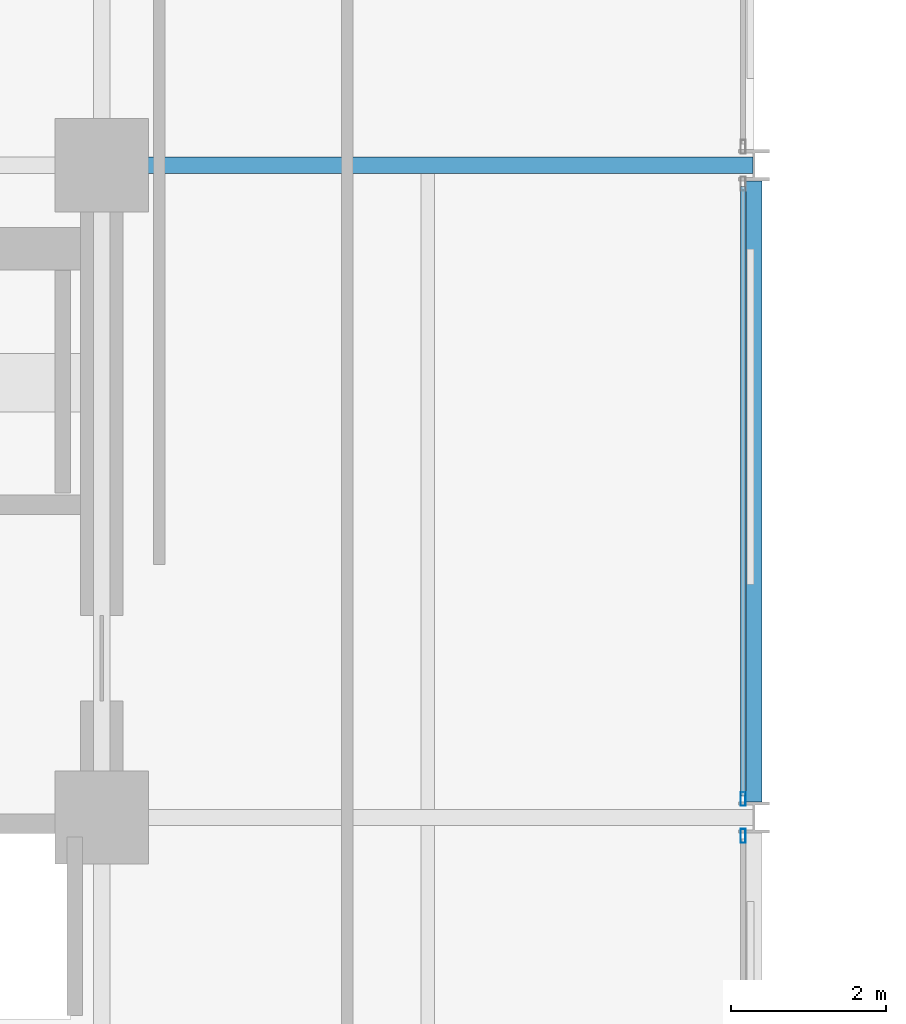
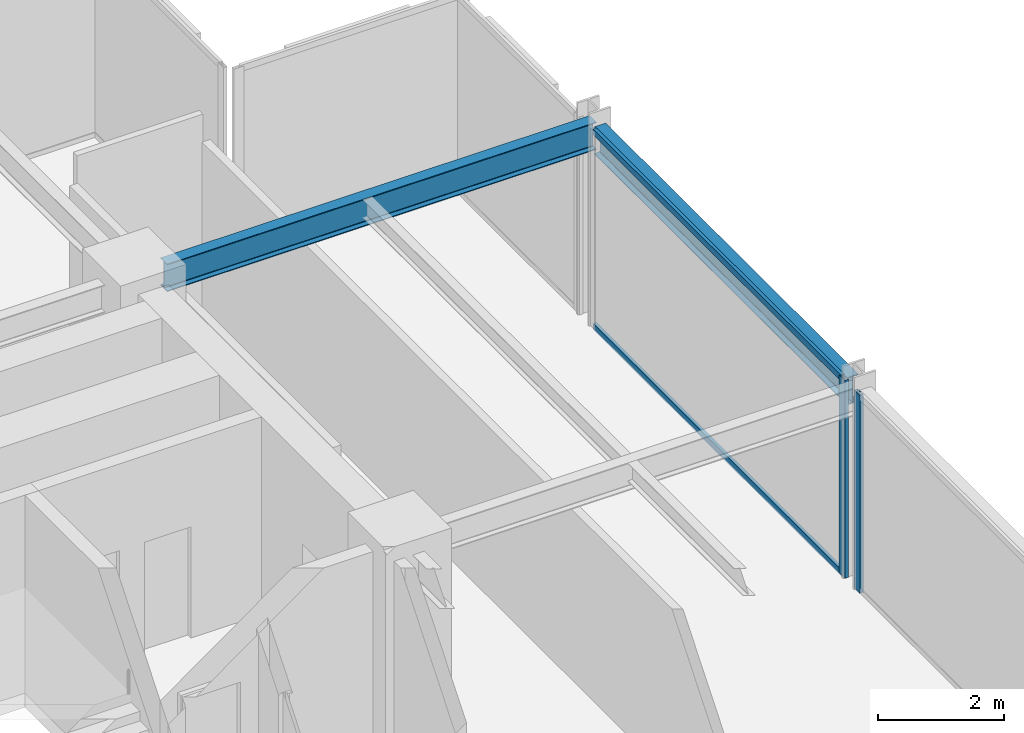
# One storey, part 27 of 38: 4 members, 2 beams, 2 elements without a shape of their own.
"""IFC4 building model written with IfcOpenShell, lengths in metres."""

import ifcopenshell
import ifcopenshell.guid

model = None  # the IFC model being written
_history = None  # IfcOwnerHistory: only IFC2X3 demands one
_inside = {}  # id of a spatial element -> (the spatial element, [elements in it])
_under = {}  # id of a project, library or spatial element -> (it, [spatial elements below it])
_declared = {}  # id of a project -> (the project, [libraries it declares])
_typed = {}  # id of a type object -> (the type object, [elements of that type])
_made_of = {}  # id of a material, layer set ... -> (it, [elements and type objects made of it])


def new_model(schema):
    """Start an empty IFC model of exactly this schema.

    Asked for "IFC4X3", IfcOpenShell would pick the latest addendum, in which some entities
    have other attributes; the version numbers below select the first issue.
    IFC2X3 requires an IfcOwnerHistory on every rooted entity: one is made here for all.
    """
    global model, _history
    if schema == "IFC4X3":
        model = ifcopenshell.file(schema_version=(4, 3, 0, 0))
    else:
        model = ifcopenshell.file(schema=schema)
    _inside.clear()
    _under.clear()
    _declared.clear()
    _typed.clear()
    _made_of.clear()
    _history = None
    if model.schema == "IFC2X3":
        org = make("IfcOrganization", Name="unknown")
        user = make(
            "IfcPersonAndOrganization",
            ThePerson=make("IfcPerson", FamilyName="unknown"),
            TheOrganization=org,
        )
        app = make(
            "IfcApplication",
            ApplicationDeveloper=org,
            Version="unknown",
            ApplicationFullName="unknown",
            ApplicationIdentifier="unknown",
        )
        _history = make(
            "IfcOwnerHistory",
            OwningUser=user,
            OwningApplication=app,
            ChangeAction="ADDED",
            CreationDate=0,
        )
    return model


def make(cls, **values):
    """One entity of the class cls with the attributes given. An attribute that is None is left unset."""
    return model.create_entity(
        cls, **{name: value for name, value in values.items() if value is not None}
    )


def rooted(cls, **values):
    """An entity with a GlobalId (a new one), such as an element, a storey or a relation."""
    return make(cls, GlobalId=ifcopenshell.guid.new(), OwnerHistory=_history, **values)


def si_unit(unit_type, name, prefix=None):
    """IfcSIUnit, for example si_unit("LENGTHUNIT", "METRE", prefix="MILLI")."""
    return make("IfcSIUnit", UnitType=unit_type, Prefix=prefix, Name=name)


def assignment(units):
    """IfcUnitAssignment: the units of a project."""
    return None if units is None else make("IfcUnitAssignment", Units=units)


def point(xyz):
    """IfcCartesianPoint."""
    return None if xyz is None else make("IfcCartesianPoint", Coordinates=xyz)


def direction(xyz):
    """IfcDirection."""
    return None if xyz is None else make("IfcDirection", DirectionRatios=xyz)


def frame(location, z_axis=None, x_axis=None):
    """IfcAxis2Placement3D, a coordinate frame: its origin and axes. An axis left out is left unset."""
    return make(
        "IfcAxis2Placement3D",
        Location=point(location),
        Axis=direction(z_axis),
        RefDirection=direction(x_axis),
    )


def frame_2d(location, x_axis=None):
    """IfcAxis2Placement2D, a coordinate frame in the plane: its origin and x axis."""
    return make(
        "IfcAxis2Placement2D", Location=point(location), RefDirection=direction(x_axis)
    )


def origin():
    """The frame at (0, 0, 0) with its axes left unset."""
    return frame((0.0, 0.0, 0.0))


def origin_2d():
    """The frame at (0, 0) in the plane with its x axis left unset."""
    return frame_2d((0.0, 0.0))


def place(relative_to, where):
    """IfcLocalPlacement: puts the frame where relative to a parent placement (None: the world)."""
    return make(
        "IfcLocalPlacement", PlacementRelTo=relative_to, RelativePlacement=where
    )


def context(
    kind, dimensions, precision=None, world=None, true_north=None, identifier=None
):
    """IfcGeometricRepresentationContext, for example the 3D "Model" context."""
    return make(
        "IfcGeometricRepresentationContext",
        ContextIdentifier=identifier,
        ContextType=kind,
        CoordinateSpaceDimension=dimensions,
        Precision=precision,
        WorldCoordinateSystem=world,
        TrueNorth=true_north,
    )


def subcontext(parent, identifier, kind, view, scale=None):
    """IfcGeometricRepresentationSubContext, for example "Body" below "Model"."""
    return make(
        "IfcGeometricRepresentationSubContext",
        ContextIdentifier=identifier,
        ContextType=kind,
        ParentContext=parent,
        TargetScale=scale,
        TargetView=view,
    )


def project(units=None, contexts=None):
    """IfcProject with its units and contexts."""
    return rooted(
        "IfcProject",
        Name="project",
        RepresentationContexts=contexts,
        UnitsInContext=assignment(units),
    )


def spatial(cls, under=None, at=None, **own):
    """A site, building, storey or space (cls), placed at a placement, below another one or the project."""
    s = rooted(cls, ObjectPlacement=at, **own)
    if under is not None:
        _under.setdefault(under.id(), (under, []))[1].append(s)
    return s


def profile(cls, at=None, kind="AREA", **sizes):
    """A parametric profile (cls). Its sizes go by their IFC names, for example OverallWidth=200.0."""
    return make(cls, ProfileType=kind, Position=at, **sizes)


def hollow_rectangle(**sizes):
    """IfcRectangleHollowProfileDef."""
    return profile("IfcRectangleHollowProfileDef", **sizes)


def i_section(**sizes):
    """IfcIShapeProfileDef."""
    return profile("IfcIShapeProfileDef", **sizes)


def extrude(swept, where, along, depth):
    """IfcExtrudedAreaSolid: the profile swept, set in the frame where, extruded along a direction by depth."""
    return make(
        "IfcExtrudedAreaSolid",
        SweptArea=swept,
        Position=where,
        ExtrudedDirection=direction(along),
        Depth=depth,
    )


def shape(context_of_items, identifier, shape_type, items):
    """IfcShapeRepresentation: the items that make up one representation, for example the "Body"."""
    return make(
        "IfcShapeRepresentation",
        ContextOfItems=context_of_items,
        RepresentationIdentifier=identifier,
        RepresentationType=shape_type,
        Items=items,
    )


def material(Name=None, Category=None):
    """IfcMaterial."""
    return make("IfcMaterial", Name=Name, Category=Category)


def layer(
    of_material, thickness, ventilated=None, Name=None, Category=None, Priority=None
):
    """IfcMaterialLayer: one layer of a wall or slab, of a material (None: an air gap)."""
    return make(
        "IfcMaterialLayer",
        Material=of_material,
        LayerThickness=thickness,
        IsVentilated=ventilated,
        Name=Name,
        Category=Category,
        Priority=Priority,
    )


def layer_set(layers, Name=None):
    """IfcMaterialLayerSet."""
    return make("IfcMaterialLayerSet", MaterialLayers=layers, LayerSetName=Name)


def material_profile(
    of_material, cross_section, Name=None, Category=None, Priority=None
):
    """IfcMaterialProfile: a cross section and its material."""
    return make(
        "IfcMaterialProfile",
        Name=Name,
        Material=of_material,
        Profile=cross_section,
        Priority=Priority,
        Category=Category,
    )


def profile_set(profiles, Name=None, composite=None):
    """IfcMaterialProfileSet."""
    return make(
        "IfcMaterialProfileSet",
        Name=Name,
        MaterialProfiles=profiles,
        CompositeProfile=composite,
    )


def made_of(thing, what):
    """Note that an element or type object is made of a material, layer set ...; save() writes the relation."""
    if what is not None:
        _made_of.setdefault(what.id(), (what, []))[1].append(thing)
    return thing


def type_object(cls, material=None, **own):
    """A type object (cls), such as IfcWallType, which elements share."""
    return made_of(rooted(cls, **own), material)


def element(
    cls,
    number,
    at=None,
    inside=None,
    cuts=None,
    type_object=None,
    material=None,
    context=None,
    identifier="Body",
    shape_type=None,
    held_by="IfcProductDefinitionShape",
    body=None,
    shapes=None,
    **own,
):
    """One element of the class cls, such as IfcWall. Its Tag is "e" and its number.

    at: its placement. inside: the storey or other place that contains it. cuts: it is an
    opening in that element (IfcRelVoidsElement). A single representation is given by context,
    identifier, shape_type and body (its items); several are given by shapes. held_by: the class
    of the entity that holds the representations. save() writes the other relations.
    """
    e = rooted(cls, Tag="e%d" % number, ObjectPlacement=at, **own)
    if body is not None:
        shapes = [shape(context, identifier, shape_type, body)]
    if shapes is not None:
        e.Representation = make(held_by, Representations=shapes)
    if inside is not None:
        _inside.setdefault(inside.id(), (inside, []))[1].append(e)
    if cuts is not None:
        rooted(
            "IfcRelVoidsElement", RelatingBuildingElement=cuts, RelatedOpeningElement=e
        )
    if type_object is not None:
        _typed.setdefault(type_object.id(), (type_object, []))[1].append(e)
    return made_of(e, material)


def aggregate(whole, parts):
    """IfcRelAggregates: a whole, such as a stair, and the parts it consists of."""
    return rooted("IfcRelAggregates", RelatingObject=whole, RelatedObjects=parts)


def save(model, path):
    """Write the relations noted so far, then the file.

    IfcRelAggregates (storeys below a building ...), IfcRelContainedInSpatialStructure (elements
    in a storey), IfcRelDefinesByType, IfcRelAssociatesMaterial and IfcRelDeclares: one each for
    every whole, place, type object, material and project.
    """
    for whole, parts in _under.values():
        aggregate(whole, parts)
    for where, things in _inside.values():
        rooted(
            "IfcRelContainedInSpatialStructure",
            RelatedElements=things,
            RelatingStructure=where,
        )
    for kind, things in _typed.values():
        rooted("IfcRelDefinesByType", RelatedObjects=things, RelatingType=kind)
    for what, things in _made_of.values():
        rooted("IfcRelAssociatesMaterial", RelatedObjects=things, RelatingMaterial=what)
    for by, libraries in _declared.values():
        rooted("IfcRelDeclares", RelatingContext=by, RelatedDefinitions=libraries)
    model.write(path)


model = new_model("IFC4")

# Units and contexts
model_context = context("Model", 3, precision=1e-05, world=origin(), true_north=direction((0.0, 1.0)))
body_context = subcontext(model_context, "Body", "Model", "MODEL_VIEW")
ifc_project = project(units=[si_unit("LENGTHUNIT", "METRE"), si_unit("AREAUNIT", "SQUARE_METRE"), si_unit("VOLUMEUNIT", "CUBIC_METRE"), si_unit("PLANEANGLEUNIT", "RADIAN"), si_unit("MASSUNIT", "GRAM", prefix="KILO")], contexts=[model_context])

# Site, building, storey
site_placement = place(None, origin())
site = spatial("IfcSite", under=ifc_project, at=site_placement, CompositionType="ELEMENT")
building_placement = place(site_placement, origin())
building = spatial("IfcBuilding", under=site, at=building_placement, Name="Nerrivon Quay Data Exchange", CompositionType="ELEMENT")
storey_placement = place(building_placement, frame((0.0, 0.0, 84.39990234375)))
storey = spatial("IfcBuildingStorey", under=building, at=storey_placement, Name="L19", CompositionType="ELEMENT", Elevation=84.39990234375)

# Beams
ifc_material_1 = material(Name="Steel Grade 350", Category="steel")
ifc_material_profile_1 = material_profile(ifc_material_1, i_section(OverallWidth=0.208984375, OverallDepth=0.532958984375, WebThickness=0.01025390625, FlangeThickness=0.015625, FilletRadius=0.013916015625, at=origin_2d()), Name="530UB92.4")
ifc_profile_set_1 = profile_set([ifc_material_profile_1], Name="Steel Grade 350")
beam_type_1 = type_object("IfcBeamType", Name="BM-G3-530UB92", PredefinedType="BEAM", material=ifc_profile_set_1)
beam_1_placement = place(storey_placement, frame((17.340087890625, 42.0, 3.55859375), z_axis=(1.0, 0.0, 0.0), x_axis=(0.0, 1.0, 0.0)))
element("IfcBeam", 1, at=beam_1_placement, inside=storey, type_object=beam_type_1, Name="L19 EW Girder Y=42.0 (16.8..25.2)", PredefinedType="BEAM", context=body_context, shape_type="SweptSolid", body=[
    extrude(i_section(OverallWidth=0.208984375, OverallDepth=0.532958984375, WebThickness=0.01025390625, FlangeThickness=0.015625, FilletRadius=0.013916015625, at=origin_2d()), origin(), (0.0, 0.0, 1.0), 7.847412109375),
])
ifc_material_profile_2 = material_profile(ifc_material_1, i_section(OverallWidth=0.208984375, OverallDepth=0.528076171875, WebThickness=0.009521484375, FlangeThickness=0.01318359375, FilletRadius=0.013916015625, at=origin_2d()), Name="530UB82.0")
ifc_profile_set_2 = profile_set([ifc_material_profile_2], Name="Steel Grade 350")
beam_type_2 = type_object("IfcBeamType", Name="BM-G4-530UB82", PredefinedType="BEAM", material=ifc_profile_set_2)
beam_2_placement = place(storey_placement, frame((25.199951171875, 33.800048828125, 3.56103515625), z_axis=(0.0, 1.0, 0.0), x_axis=(-1.0, 0.0, 0.0)))
element("IfcBeam", 2, at=beam_2_placement, inside=storey, type_object=beam_type_2, Name="L19 NS Girder X=25.2 (33.6..42.0)", PredefinedType="BEAM", context=body_context, shape_type="SweptSolid", body=[
    extrude(i_section(OverallWidth=0.208984375, OverallDepth=0.528076171875, WebThickness=0.009521484375, FlangeThickness=0.01318359375, FilletRadius=0.013916015625, at=origin_2d()), origin(), (0.0, 0.0, 1.0), 8.0),
])

# Curtain wall, member
ifc_material_2 = material(Name="Anodised aluminium 6063-T6", Category="aluminium")
ifc_layer = layer(ifc_material_2, 0.2099609375)
ifc_layer_set = layer_set([ifc_layer], Name="Anodised aluminium 6063-T6")
curtain_wall_type = type_object("IfcCurtainWallType", Name="CW-SYS-02", PredefinedType="NOTDEFINED", material=ifc_layer_set)
curtain_wall_1_placement = place(storey_placement, origin())
curtain_wall_1 = element("IfcCurtainWall", 3, at=curtain_wall_1_placement, inside=storey, type_object=curtain_wall_type, Name="L19 Unitised Curtain Wall 30", PredefinedType="NOTDEFINED")
ifc_material_profile_3 = material_profile(ifc_material_2, hollow_rectangle(XDim=0.06494140625, YDim=0.179931640625, WallThickness=0.00341796875, at=origin_2d()), Name="ALU-MULL-180x65")
ifc_profile_set_3 = profile_set([ifc_material_profile_3], Name="Anodised aluminium 6063-T6")
member_type_1 = type_object("IfcMemberType", Name="CWM-180x65", PredefinedType="MULLION", material=ifc_profile_set_3)
member_1_placement = place(storey_placement, frame((25.06005859375, 33.83740234375, 0.0), z_axis=(0.0, 0.0, 1.0), x_axis=(1.0, 0.0, 0.0)))
member_1 = element("IfcMember", 4, at=member_1_placement, type_object=member_type_1, Name="CW02 mullion 2", PredefinedType="MULLION", context=body_context, shape_type="SweptSolid", body=[
    extrude(hollow_rectangle(XDim=0.06494140625, YDim=0.179931640625, WallThickness=0.00341796875, at=origin_2d()), origin(), (0.0, 0.0, 1.0), 3.8251953125),
])

curtain_wall_2_placement = place(storey_placement, origin())
curtain_wall_2 = element("IfcCurtainWall", 5, at=curtain_wall_2_placement, inside=storey, type_object=curtain_wall_type, Name="L19 Unitised Curtain Wall 31", PredefinedType="NOTDEFINED")
member_2_placement = place(storey_placement, frame((25.06005859375, 33.362548828125, 0.0), z_axis=(0.0, 0.0, 1.0), x_axis=(1.0, 0.0, 0.0)))
member_2 = element("IfcMember", 6, at=member_2_placement, type_object=member_type_1, Name="CW02 mullion 1", PredefinedType="MULLION", context=body_context, shape_type="SweptSolid", body=[
    extrude(hollow_rectangle(XDim=0.06494140625, YDim=0.179931640625, WallThickness=0.00341796875, at=origin_2d()), origin(), (0.0, 0.0, 1.0), 3.8251953125),
])
aggregate(curtain_wall_2, [member_2])

# Member
ifc_material_profile_4 = material_profile(ifc_material_2, hollow_rectangle(XDim=0.06005859375, YDim=0.1201171875, WallThickness=0.003173828125, at=origin_2d()), Name="ALU-TRAN-120x60")
ifc_profile_set_4 = profile_set([ifc_material_profile_4], Name="Anodised aluminium 6063-T6")
member_type_2 = type_object("IfcMemberType", Name="CWT-120x60", PredefinedType="USERDEFINED", material=ifc_profile_set_4)
member_3_placement = place(storey_placement, frame((25.06005859375, 41.72509765625, 0.03271484375), z_axis=(0.0, -1.0, 0.0), x_axis=(1.0, 0.0, 0.0)))
member_3 = element("IfcMember", 7, at=member_3_placement, type_object=member_type_2, Name="CW02 transom 1.1", ObjectType="TRANSOM", PredefinedType="USERDEFINED", context=body_context, shape_type="SweptSolid", body=[
    extrude(hollow_rectangle(XDim=0.06005859375, YDim=0.1201171875, WallThickness=0.003173828125, at=origin_2d()), origin(), (0.0, 0.0, 1.0), 7.85009765625),
])

member_4_placement = place(storey_placement, frame((25.06005859375, 41.72509765625, 3.79248046875), z_axis=(0.0, -1.0, 0.0), x_axis=(1.0, 0.0, 0.0)))
member_4 = element("IfcMember", 8, at=member_4_placement, type_object=member_type_2, Name="CW02 transom 1.2", ObjectType="TRANSOM", PredefinedType="USERDEFINED", context=body_context, shape_type="SweptSolid", body=[
    extrude(hollow_rectangle(XDim=0.06005859375, YDim=0.1201171875, WallThickness=0.003173828125, at=origin_2d()), origin(), (0.0, 0.0, 1.0), 7.85009765625),
])

aggregate(curtain_wall_1, [member_1, member_3, member_4])

save(model, "model.ifc")
